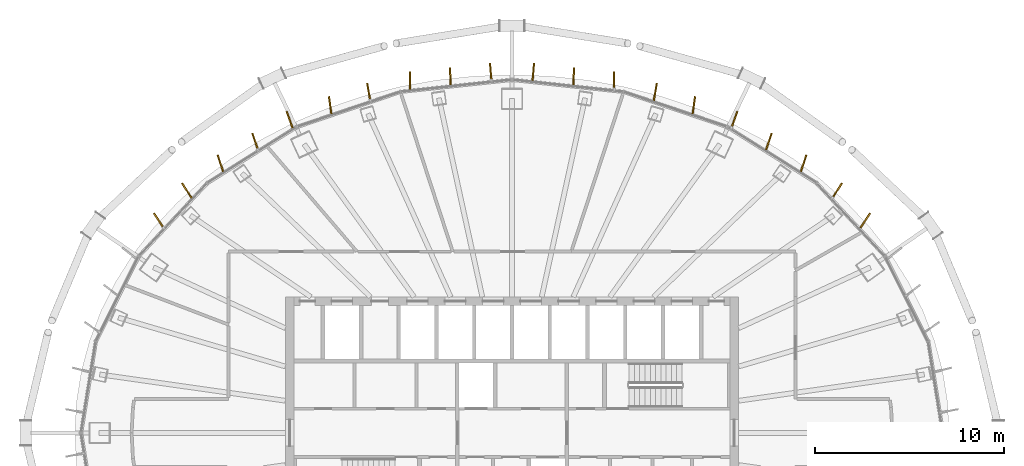
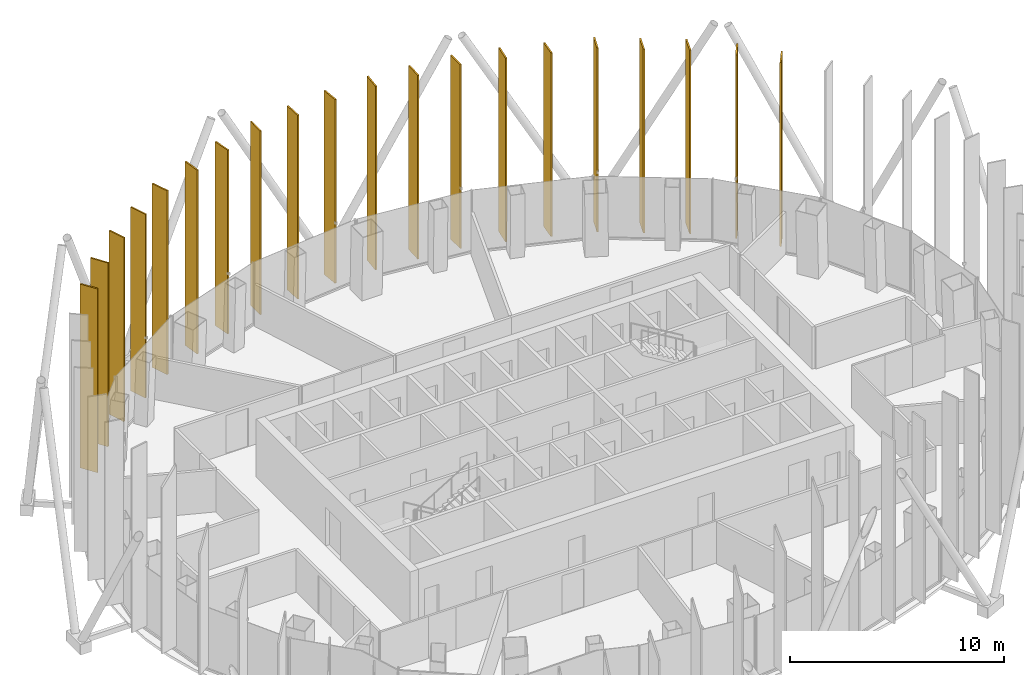
# One storey, part 17 of 17: 20 shading devices.
"""IFC4 building model written with IfcOpenShell, lengths in metres."""

from ifc_helpers import new_model, si_unit, direction, frame, origin, origin_2d, place, context, subcontext, project, spatial, rectangle, extrude, material, layer, layer_set, type_object, element, save


model = new_model("IFC4")

# Units and contexts
model_context = context("Model", 3, precision=1e-05, world=origin(), true_north=direction((0.0, 1.0)))
body_context = subcontext(model_context, "Body", "Model", "MODEL_VIEW")
ifc_project = project(units=[si_unit("LENGTHUNIT", "METRE"), si_unit("AREAUNIT", "SQUARE_METRE"), si_unit("VOLUMEUNIT", "CUBIC_METRE"), si_unit("PLANEANGLEUNIT", "RADIAN"), si_unit("MASSUNIT", "GRAM", prefix="KILO")], contexts=[model_context])

# Site, building, storey
site_placement = place(None, origin())
site = spatial("IfcSite", under=ifc_project, at=site_placement, CompositionType="ELEMENT")
building_placement = place(site_placement, origin())
building = spatial("IfcBuilding", under=site, at=building_placement, Name="Siaravel Broadcast Tower", CompositionType="ELEMENT")
storey_placement = place(building_placement, frame((0.0, 0.0, 190.39990234375)))
storey = spatial("IfcBuildingStorey", under=building, at=storey_placement, Name="L46", CompositionType="ELEMENT", Elevation=190.39990234375)

# Shading devices
ifc_material = material(Name="Bronze anodised aluminium", Category="aluminium")
ifc_layer = layer(ifc_material, 0.080078125)
ifc_layer_set = layer_set([ifc_layer], Name="Bronze anodised aluminium")
shading_device_type = type_object("IfcShadingDeviceType", Name="Bronze fin zone 3", PredefinedType="USERDEFINED", material=ifc_layer_set)
for number, where, z_axis, x_axis, name in (
    (1, (18.7021484375, 11.239990234375, 0.300048828125), (0.0, 0.0, 1.0), (0.553529645, 0.832829473, 0.0), "Bronze fin L46-06"),
    (2, (17.212646484375, 12.828125, 0.300048828125), (0.0, 0.0, 1.0), (0.543999215, 0.839085725, 0.0), "Bronze fin L46-07"),
    (3, (15.4375, 14.273193359375, 0.300048828125), (0.0, 0.0, 1.0), (0.312613451, 0.949880429, 0.0), "Bronze fin L46-08"),
    (4, (13.602783203125, 15.427734375, 0.300048828125), (0.0, 0.0, 1.0), (0.321989762, 0.946743151, 0.0), "Bronze fin L46-09"),
    (5, (11.772216796875, 16.580810546875, 0.300048828125), (0.0, 0.0, 1.0), (0.340405808, 0.940278621, 0.0), "Bronze fin L46-10"),
    (6, (9.626708984375, 17.3525390625, 0.300048828125), (0.0, 0.0, 1.0), (0.13996291, 0.990156747, 0.0), "Bronze fin L46-11"),
    (7, (7.58544921875, 18.048095703125, 0.300048828125), (0.0, 0.0, 1.0), (0.17393865, 0.984756491, 0.0), "Bronze fin L46-12"),
    (8, (5.4052734375, 18.6484375, 0.300048828125), (0.0, 0.0, 1.0), (-0.005197567, 0.999986493, 0.0), "Bronze fin L46-13"),
    (9, (3.265380859375, 18.881103515625, 0.300048828125), (0.0, 0.0, 1.0), (0.038169803, 0.999271268, 0.0), "Bronze fin L46-14"),
    (10, (1.126953125, 19.11279296875, 0.300048828125), (0.0, 0.0, 1.0), (0.08410742, 0.996456693, 0.0), "Bronze fin L46-15"),
    (11, (-1.126953125, 19.11279296875, 0.300048828125), (0.0, 0.0, 1.0), (-0.08410742, 0.996456693, 0.0), "Bronze fin L46-16"),
    (12, (-3.265380859375, 18.881103515625, 0.300048828125), (0.0, 0.0, 1.0), (-0.038169803, 0.999271268, 0.0), "Bronze fin L46-17"),
    (13, (-5.4052734375, 18.6484375, 0.300048828125), (0.0, 0.0, 1.0), (0.005197567, 0.999986493, 0.0), "Bronze fin L46-18"),
    (14, (-7.58544921875, 18.048095703125, 0.300048828125), (0.0, 0.0, 1.0), (-0.17393865, 0.984756491, 0.0), "Bronze fin L46-19"),
    (15, (-9.626708984375, 17.3525390625, 0.300048828125), (0.0, 0.0, 1.0), (-0.13996291, 0.990156747, 0.0), "Bronze fin L46-20"),
    (16, (-11.772216796875, 16.580810546875, 0.300048828125), (0.0, 0.0, 1.0), (-0.340405808, 0.940278621, 0.0), "Bronze fin L46-21"),
    (17, (-13.602783203125, 15.427734375, 0.300048828125), (0.0, 0.0, 1.0), (-0.321989762, 0.946743151, 0.0), "Bronze fin L46-22"),
    (18, (-15.4375, 14.273193359375, 0.300048828125), (0.0, 0.0, 1.0), (-0.312613451, 0.949880429, 0.0), "Bronze fin L46-23"),
    (19, (-17.212646484375, 12.828125, 0.300048828125), (0.0, 0.0, 1.0), (-0.543999215, 0.839085725, 0.0), "Bronze fin L46-24"),
    (20, (-18.7021484375, 11.239990234375, 0.300048828125), (0.0, 0.0, 1.0), (-0.553529645, 0.832829473, 0.0), "Bronze fin L46-25"),
):
    element("IfcShadingDevice", number, at=place(storey_placement, frame(where, z_axis=z_axis, x_axis=x_axis)), inside=storey, type_object=shading_device_type, Name=name, ObjectType="FIN", PredefinedType="USERDEFINED", context=body_context, shape_type="SweptSolid", body=[
        extrude(rectangle(XDim=0.919921875, YDim=0.080078125, at=origin_2d()), origin(), (0.0, 0.0, 1.0), 10.5),
    ])

save(model, "model.ifc")
